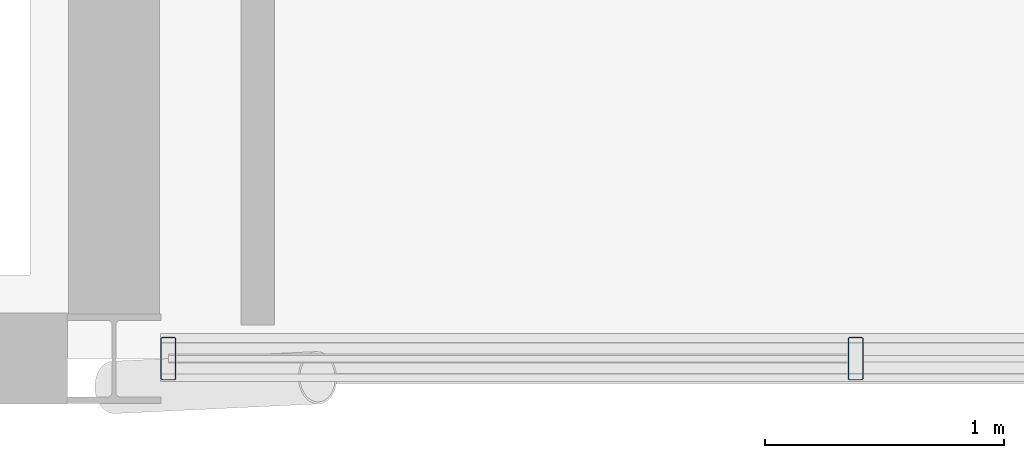
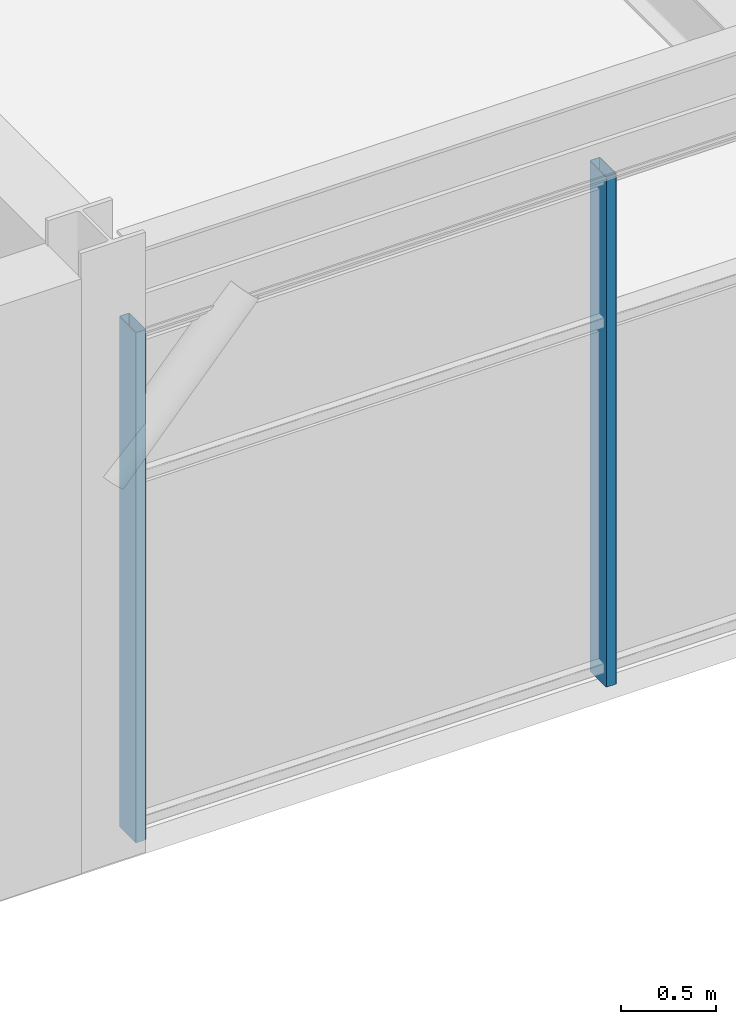
# One storey, part 15 of 49: 2 members, 1 element without a shape of its own.
"""IFC4 building model written with IfcOpenShell, lengths in metres."""

from ifc_helpers import new_model, si_unit, direction, frame, origin, origin_2d, place, context, subcontext, project, spatial, hollow_rectangle, extrude, material, material_profile, profile_set, type_object, element, aggregate, save


model = new_model("IFC4")

# Units and contexts
model_context = context("Model", 3, precision=1e-05, world=origin(), true_north=direction((0.0, 1.0)))
body_context = subcontext(model_context, "Body", "Model", "MODEL_VIEW")
ifc_project = project(units=[si_unit("LENGTHUNIT", "METRE"), si_unit("AREAUNIT", "SQUARE_METRE"), si_unit("VOLUMEUNIT", "CUBIC_METRE"), si_unit("PLANEANGLEUNIT", "RADIAN"), si_unit("MASSUNIT", "GRAM", prefix="KILO")], contexts=[model_context])

# Site, building, storey
site_placement = place(None, origin())
site = spatial("IfcSite", under=ifc_project, at=site_placement, CompositionType="ELEMENT")
building_placement = place(site_placement, origin())
building = spatial("IfcBuilding", under=site, at=building_placement, Name="Girod Span Mobility Hub", CompositionType="ELEMENT")
storey_placement = place(building_placement, frame((0.0, 0.0, 37.60009765625)))
storey = spatial("IfcBuildingStorey", under=building, at=storey_placement, Name="L09", CompositionType="ELEMENT", Elevation=37.60009765625)

# Curtain wall, members
ifc_material_1 = material(Name="Thermally Broken Anodised Aluminium", Category="aluminium")
curtain_wall_type = type_object("IfcCurtainWallType", Name="CW-1161X329", PredefinedType="USERDEFINED", material=ifc_material_1)
curtain_wall_placement = place(storey_placement, origin())
curtain_wall = element("IfcCurtainWall", 1, at=curtain_wall_placement, inside=storey, type_object=curtain_wall_type, Name="Unitised Curtain Wall CW-L09-S08 L09", ObjectType="UNITISED CURTAIN WALL", PredefinedType="USERDEFINED")
ifc_material_2 = material(Name="Thermally Broken Anodised Aluminium", Category="aluminium")
ifc_material_profile = material_profile(ifc_material_2, hollow_rectangle(XDim=0.179931640625, YDim=0.06494140625, WallThickness=0.00390625, InnerFilletRadius=0.00390625, OuterFilletRadius=0.008056640625, at=origin_2d()), Name="CW-ML-65X180")
ifc_profile_set = profile_set([ifc_material_profile], Name="Thermally Broken Anodised Aluminium")
member_type = type_object("IfcMemberType", Name="CWM-ML-2", PredefinedType="MULLION", material=ifc_profile_set)
member_1_placement = place(storey_placement, frame((84.22705078125, 27.0, 0.0), z_axis=(0.0, 0.0, 1.0), x_axis=(0.0, 1.0, 0.0)))
member_1 = element("IfcMember", 2, at=member_1_placement, type_object=member_type, Name="Curtain Wall Mullion CW-L09-S08-M0", PredefinedType="MULLION", context=body_context, shape_type="SweptSolid", body=[
    extrude(hollow_rectangle(XDim=0.179931640625, YDim=0.06494140625, WallThickness=0.00390625, InnerFilletRadius=0.00390625, OuterFilletRadius=0.008056640625, at=origin_2d()), origin(), (0.0, 0.0, 1.0), 3.291015625),
])
member_2_placement = place(storey_placement, frame((87.097412109375, 27.0, 0.0), z_axis=(0.0, 0.0, 1.0), x_axis=(0.0, 1.0, 0.0)))
member_2 = element("IfcMember", 3, at=member_2_placement, type_object=member_type, Name="Curtain Wall Mullion CW-L09-S08-M1", PredefinedType="MULLION", context=body_context, shape_type="SweptSolid", body=[
    extrude(hollow_rectangle(XDim=0.179931640625, YDim=0.06494140625, WallThickness=0.00390625, InnerFilletRadius=0.00390625, OuterFilletRadius=0.008056640625, at=origin_2d()), origin(), (0.0, 0.0, 1.0), 3.291015625),
])
aggregate(curtain_wall, [member_1, member_2])

save(model, "model.ifc")
